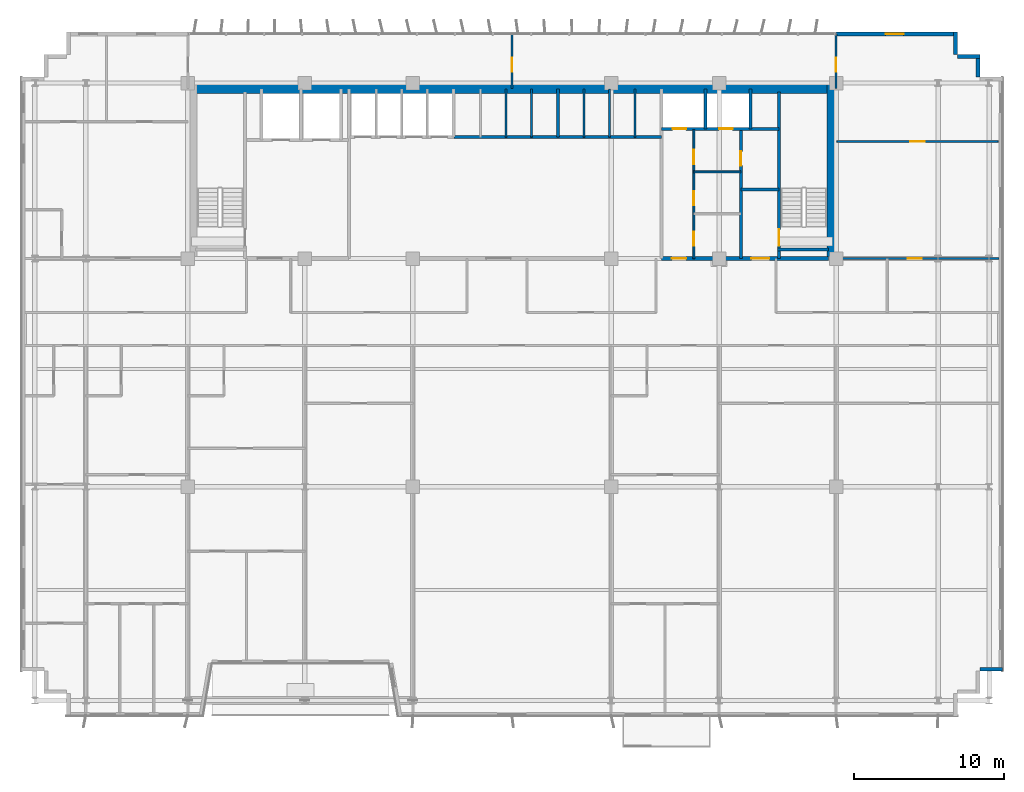
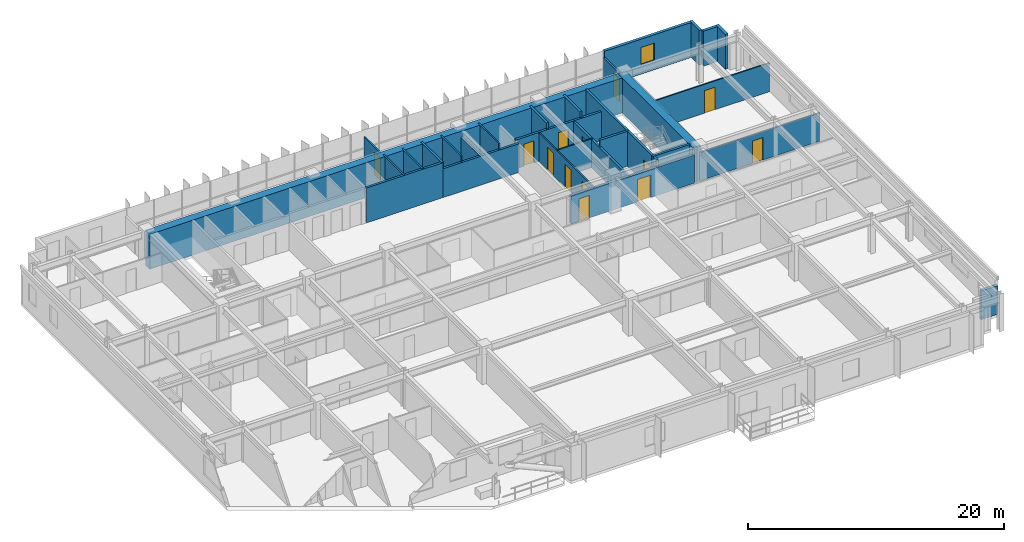
# One storey, part 19 of 23: 29 walls, 13 doors, 1 window, 14 openings.
"""IFC4 building model written with IfcOpenShell, lengths in metres."""

from ifc_helpers import new_model, si_unit, direction, frame, frame_2d, origin, place, context, subcontext, project, spatial, rectangle, extrude, source, transform, mapped, material, layer, layer_set, type_object, element, fill, save


model = new_model("IFC4")

# Units and contexts
model_context = context("Model", 3, precision=1e-05, world=origin(), true_north=direction((0.0, 1.0)))
body_context = subcontext(model_context, "Body", "Model", "MODEL_VIEW")
ifc_project = project(units=[si_unit("LENGTHUNIT", "METRE"), si_unit("AREAUNIT", "SQUARE_METRE"), si_unit("VOLUMEUNIT", "CUBIC_METRE"), si_unit("PLANEANGLEUNIT", "RADIAN"), si_unit("MASSUNIT", "GRAM", prefix="KILO")], contexts=[model_context])

# Site, building, storey
site_placement = place(None, origin())
site = spatial("IfcSite", under=ifc_project, at=site_placement, CompositionType="ELEMENT")
building_placement = place(site_placement, origin())
building = spatial("IfcBuilding", under=site, at=building_placement, Name="Trelvane Seafront Commons", CompositionType="ELEMENT")
storey_placement = place(building_placement, frame((0.0, 0.0, 63.10009765625)))
storey = spatial("IfcBuildingStorey", under=building, at=storey_placement, Name="L16", CompositionType="ELEMENT", Elevation=63.10009765625)

# Wall, opening, window
ifc_material_1 = material(Name="Precast concrete C40/50", Category="concrete")
ifc_layer_1 = layer(ifc_material_1, 0.260009765625, Name="ARCH-WALL-EXT260")
ifc_layer_set_1 = layer_set([ifc_layer_1], Name="Precast concrete C40/50")
wall_type_1 = type_object("IfcWallType", Name="ARCH-WALL-EXT260", PredefinedType="SOLIDWALL", material=ifc_layer_set_1)
wall_1_placement = place(storey_placement, frame((58.800048828125, 48.3701171875, 0.0), z_axis=(0.0, 0.0, 1.0), x_axis=(1.0, 0.0, 0.0)))
wall_1 = element("IfcWall", 1, at=wall_1_placement, inside=storey, type_object=wall_type_1, Name="EW-L16-NE-0277", PredefinedType="SOLIDWALL", context=body_context, shape_type="SweptSolid", body=[
    extrude(rectangle(XDim=8.0, YDim=0.260009765625, at=frame_2d((4.0, 0.0))), origin(), (0.0, 0.0, 1.0), 3.33984375),
])
opening_1_placement = place(wall_1_placement, frame((3.30810546875, 0.0, 0.89990234375)))
opening_1 = element("IfcOpeningElement", 2, at=opening_1_placement, cuts=wall_1, Name="Opening W05", PredefinedType="OPENING", context=body_context, shape_type="SweptSolid", body=[
    extrude(rectangle(XDim=1.199951171875, YDim=1.64990234375, at=frame_2d((0.60009765625, 0.824951171875))), frame((0.0, 0.139892578125, 0.0), z_axis=(0.0, -1.0, 0.0), x_axis=(1.0, 0.0, 0.0)), (0.0, 0.0, 1.0), 0.280029296875),
])
ifc_material_2 = material(Name="Low-E coastal double glazing", Category="glass")
window_type = type_object("IfcWindowType", Name="ARCH-WIN-W05", PartitioningType="SINGLE_PANEL", PredefinedType="WINDOW", material=ifc_material_2)
shared_shape_1 = source(origin(), body_context, "Body", "SweptSolid", [
    extrude(rectangle(XDim=1.199951171875, YDim=1.64990234375, at=frame_2d((0.60009765625, 0.824951171875))), frame((0.0, 0.030029296875, 0.0), z_axis=(0.0, -1.0, 0.0), x_axis=(1.0, 0.0, 0.0)), (0.0, 0.0, 1.0), 0.06005859375),
])
window_placement = place(opening_1_placement, origin())
window = element("IfcWindow", 3, at=window_placement, inside=storey, type_object=window_type, Name="WIN-L16-00334", OverallHeight=1.64990234375, OverallWidth=1.199951171875, PartitioningType="SINGLE_PANEL", PredefinedType="WINDOW", context=body_context, shape_type="MappedRepresentation", body=[
    mapped(shared_shape_1, transform((0.0, 0.0, 0.0), x_axis=(1.0, 0.0, 0.0), y_axis=(0.0, 1.0, 0.0), z_axis=(0.0, 0.0, 1.0), scale=1.0)),
])
fill(opening_1, window)

# Walls
for number, where, z_axis, x_axis, name in (
    (4, (66.77001953125, 48.5, 0.0), (0.0, 0.0, 1.0), (0.0, -1.0, 0.0), "EW-L16-00286"),
    (5, (66.89990234375, 46.8701171875, 0.0), (0.0, 0.0, 1.0), (1.0, 0.0, 0.0), "EW-L16-00287"),
    (6, (68.27001953125, 47.0, 0.0), (0.0, 0.0, 1.0), (0.0, -1.0, 0.0), "EW-L16-00288"),
):
    element("IfcWall", number, at=place(storey_placement, frame(where, z_axis=z_axis, x_axis=x_axis)), inside=storey, type_object=wall_type_1, Name=name, PredefinedType="SOLIDWALL", context=body_context, shape_type="SweptSolid", body=[
        extrude(rectangle(XDim=1.5, YDim=0.260009765625, at=frame_2d((0.75, 0.0))), origin(), (0.0, 0.0, 1.0), 3.33984375),
    ])
wall_2_placement = place(storey_placement, frame((69.89990234375, 6.030029296875, 0.0), z_axis=(0.0, 0.0, 1.0), x_axis=(-1.0, 0.0, 0.0)))
element("IfcWall", 7, at=wall_2_placement, inside=storey, type_object=wall_type_1, Name="EW-L16-00291", PredefinedType="SOLIDWALL", context=body_context, shape_type="SweptSolid", body=[
    extrude(rectangle(XDim=1.5, YDim=0.260009765625, at=frame_2d((0.75, 0.0))), origin(), (0.0, 0.0, 1.0), 2.751953125),
])

# Wall, opening, door
ifc_material_3 = material(Name="Concrete C40/50", Category="concrete")
ifc_layer_2 = layer(ifc_material_3, 0.199951171875, Name="ARCH-WALL-FIRE200")
ifc_layer_set_2 = layer_set([ifc_layer_2], Name="Concrete C40/50")
wall_type_2 = type_object("IfcWallType", Name="ARCH-WALL-FIRE200", PredefinedType="PARTITIONING", material=ifc_layer_set_2)
wall_3_placement = place(storey_placement, frame((52.449951171875, 33.39990234375, 0.0), z_axis=(0.0, 0.0, 1.0), x_axis=(0.0, 1.0, 0.0)))
wall_3 = element("IfcWall", 8, at=wall_3_placement, inside=storey, type_object=wall_type_2, Name="W-L16-ST2V-W-033", PredefinedType="PARTITIONING", context=body_context, shape_type="SweptSolid", body=[
    extrude(rectangle(XDim=8.650146484375, YDim=0.199951171875, at=frame_2d((4.3251953125, 0.0))), origin(), (0.0, 0.0, 1.0), 2.68994140625),
])
opening_2_placement = place(wall_3_placement, frame((6.199951171875, 0.0, 0.0)))
opening_2 = element("IfcOpeningElement", 9, at=opening_2_placement, cuts=wall_3, Name="Opening FD-L16-13", PredefinedType="OPENING", context=body_context, shape_type="SweptSolid", body=[
    extrude(rectangle(XDim=0.949951171875, YDim=2.14990234375, at=frame_2d((0.47509765625, 1.074951171875))), frame((0.0, 0.10986328125, 0.0), z_axis=(0.0, -1.0, 0.0), x_axis=(1.0, 0.0, 0.0)), (0.0, 0.0, 1.0), 0.219970703125),
])
ifc_material_4 = material(Name="Powder-coated aluminium frame", Category="aluminium")
door_type_1 = type_object("IfcDoorType", Name="ARCH-DR-FD60-950", OperationType="NOTDEFINED", PredefinedType="DOOR", material=ifc_material_4)
shared_shape_2 = source(origin(), body_context, "Body", "SweptSolid", [
    extrude(rectangle(XDim=0.949951171875, YDim=2.14990234375, at=frame_2d((0.47509765625, 1.074951171875))), frame((0.0, 0.02490234375, 0.0), z_axis=(0.0, -1.0, 0.0), x_axis=(1.0, 0.0, 0.0)), (0.0, 0.0, 1.0), 0.050048828125),
])
door_1_placement = place(opening_2_placement, origin())
door_1 = element("IfcDoor", 10, at=door_1_placement, inside=storey, type_object=door_type_1, Name="L16 Cleaner Store Door", OperationType="SINGLE_SWING_LEFT", OverallHeight=2.14990234375, OverallWidth=0.949951171875, PredefinedType="DOOR", context=body_context, shape_type="MappedRepresentation", body=[
    mapped(shared_shape_2, transform((0.0, 0.0, 0.0), x_axis=(1.0, 0.0, 0.0), y_axis=(0.0, 1.0, 0.0), z_axis=(0.0, 0.0, 1.0), scale=1.0)),
])
fill(opening_2, door_1)

# Wall
wall_4_placement = place(storey_placement, frame((52.449951171875, 38.0, 0.0), z_axis=(0.0, 0.0, 1.0), x_axis=(1.0, 0.0, 0.0)))
element("IfcWall", 11, at=wall_4_placement, inside=storey, type_object=wall_type_2, Name="W-L16-ST2V-N-034", PredefinedType="PARTITIONING", context=body_context, shape_type="SweptSolid", body=[
    extrude(rectangle(XDim=2.550048828125, YDim=0.199951171875, at=frame_2d((1.27490234375, 0.0))), origin(), (0.0, 0.0, 1.0), 3.33984375),
])

# Wall, openings, doors
ifc_layer_3 = layer(ifc_material_3, 0.25, Name="ARCH-WALL-FIRE250")
ifc_layer_set_3 = layer_set([ifc_layer_3], Name="Concrete C40/50")
wall_type_3 = type_object("IfcWallType", Name="ARCH-WALL-FIRE250", PredefinedType="PARTITIONING", material=ifc_layer_set_3)
wall_5_placement = place(storey_placement, frame((47.14990234375, 33.39990234375, 0.0), z_axis=(0.0, 0.0, 1.0), x_axis=(1.0, 0.0, 0.0)))
wall_5 = element("IfcWall", 12, at=wall_5_placement, inside=storey, type_object=wall_type_3, Name="W-L16-CS-EAST-038", PredefinedType="PARTITIONING", context=body_context, shape_type="SweptSolid", body=[
    extrude(rectangle(XDim=11.150146484375, YDim=0.25, at=frame_2d((5.5751953125, 0.0))), origin(), (0.0, 0.0, 1.0), 2.68994140625),
])
opening_3_placement = place(wall_5_placement, frame((0.699951171875, 0.0, 0.0)))
opening_3 = element("IfcOpeningElement", 13, at=opening_3_placement, cuts=wall_5, Name="Opening FD-L16-17", PredefinedType="OPENING", context=body_context, shape_type="SweptSolid", body=[
    extrude(rectangle(XDim=0.949951171875, YDim=2.14990234375, at=frame_2d((0.47509765625, 1.074951171875))), frame((0.0, 0.135009765625, 0.0), z_axis=(0.0, -1.0, 0.0), x_axis=(1.0, 0.0, 0.0)), (0.0, 0.0, 1.0), 0.27001953125),
])
opening_4_placement = place(wall_5_placement, frame((6.0, 0.0, 0.0)))
opening_4 = element("IfcOpeningElement", 14, at=opening_4_placement, cuts=wall_5, Name="Opening FD-L16-18", PredefinedType="OPENING", context=body_context, shape_type="SweptSolid", body=[
    extrude(rectangle(XDim=1.199951171875, YDim=2.14990234375, at=frame_2d((0.60009765625, 1.074951171875))), frame((0.0, 0.135009765625, 0.0), z_axis=(0.0, -1.0, 0.0), x_axis=(1.0, 0.0, 0.0)), (0.0, 0.0, 1.0), 0.27001953125),
])
door_2_placement = place(opening_3_placement, origin())
door_2 = element("IfcDoor", 15, at=door_2_placement, inside=storey, type_object=door_type_1, Name="L16 Core Service Lobby Door", OperationType="SINGLE_SWING_LEFT", OverallHeight=2.14990234375, OverallWidth=0.949951171875, PredefinedType="DOOR", context=body_context, shape_type="MappedRepresentation", body=[
    mapped(shared_shape_2, transform((0.0, 0.0, 0.0), x_axis=(1.0, 0.0, 0.0), y_axis=(0.0, 1.0, 0.0), z_axis=(0.0, 0.0, 1.0), scale=1.0)),
])
fill(opening_3, door_2)
door_type_2 = type_object("IfcDoorType", Name="ARCH-DR-FD60-1200", OperationType="NOTDEFINED", PredefinedType="DOOR", material=ifc_material_4)
shared_shape_3 = source(origin(), body_context, "Body", "SweptSolid", [
    extrude(rectangle(XDim=1.199951171875, YDim=2.14990234375, at=frame_2d((0.60009765625, 1.074951171875))), frame((0.0, 0.02490234375, 0.0), z_axis=(0.0, -1.0, 0.0), x_axis=(1.0, 0.0, 0.0)), (0.0, 0.0, 1.0), 0.050048828125),
])
door_3_placement = place(opening_4_placement, origin())
door_3 = element("IfcDoor", 16, at=door_3_placement, inside=storey, type_object=door_type_2, Name="L16 East Stair Vestibule Fire Door", OperationType="SINGLE_SWING_RIGHT", OverallHeight=2.14990234375, OverallWidth=1.199951171875, PredefinedType="DOOR", context=body_context, shape_type="MappedRepresentation", body=[
    mapped(shared_shape_3, transform((0.0, 0.0, 0.0), x_axis=(1.0, 0.0, 0.0), y_axis=(0.0, 1.0, 0.0), z_axis=(0.0, 0.0, 1.0), scale=1.0)),
])
fill(opening_4, door_3)

# Walls
ifc_material_5 = material(Name="Gypsum Drywall Acoustic Partition")
ifc_layer_4 = layer(ifc_material_5, 0.1201171875, Name="ARCH-WALL-PART120")
ifc_layer_set_4 = layer_set([ifc_layer_4], Name="Gypsum Drywall Acoustic Partition")
wall_type_4 = type_object("IfcWallType", Name="ARCH-WALL-PART120", PredefinedType="PARTITIONING", material=ifc_layer_set_4)
for number, where, z_axis, x_axis, name in (
    (17, (36.800048828125, 41.5, 0.0), (0.0, 0.0, 1.0), (0.0, 1.0, 0.0), "W-L16-PM-DIV2-021"),
    (18, (38.5, 41.5, 0.0), (0.0, 0.0, 1.0), (0.0, 1.0, 0.0), "W-L16-PM-DIV3-022"),
    (19, (42.0, 41.5, 0.0), (0.0, 0.0, 1.0), (0.0, 1.0, 0.0), "W-L16-PH-DIV1-025"),
):
    element("IfcWall", number, at=place(storey_placement, frame(where, z_axis=z_axis, x_axis=x_axis)), inside=storey, type_object=wall_type_4, Name=name, PredefinedType="PARTITIONING", context=body_context, shape_type="SweptSolid", body=[
        extrude(rectangle(XDim=3.199951171875, YDim=0.1201171875, at=frame_2d((1.60009765625, 0.0))), origin(), (0.0, 0.0, 1.0), 3.33984375),
    ])
wall_6_placement = place(storey_placement, frame((43.699951171875, 41.5, 0.0), z_axis=(0.0, 0.0, 1.0), x_axis=(0.0, 1.0, 0.0)))
element("IfcWall", 20, at=wall_6_placement, inside=storey, type_object=wall_type_4, Name="W-L16-PH-DIV2-026", PredefinedType="PARTITIONING", context=body_context, shape_type="SweptSolid", body=[
    extrude(rectangle(XDim=3.199951171875, YDim=0.1201171875, at=frame_2d((1.60009765625, 0.0))), origin(), (0.0, 0.0, 1.0), 2.751953125),
])
wall_7_placement = place(storey_placement, frame((45.39990234375, 41.5, 0.0), z_axis=(0.0, 0.0, 1.0), x_axis=(0.0, 1.0, 0.0)))
element("IfcWall", 21, at=wall_7_placement, inside=storey, type_object=wall_type_4, Name="W-L16-PH-DIV3-027", PredefinedType="PARTITIONING", context=body_context, shape_type="SweptSolid", body=[
    extrude(rectangle(XDim=3.199951171875, YDim=0.1201171875, at=frame_2d((1.60009765625, 0.0))), origin(), (0.0, 0.0, 1.0), 3.33984375),
])

# Wall, openings, doors
wall_8_placement = place(storey_placement, frame((49.320068359375, 33.39990234375, 0.0), z_axis=(0.0, 0.0, 1.0), x_axis=(0.0, 1.0, 0.0)))
wall_8 = element("IfcWall", 22, at=wall_8_placement, inside=storey, type_object=wall_type_4, Name="W-L16-CYC3-V-035", PredefinedType="PARTITIONING", context=body_context, shape_type="SweptSolid", body=[
    extrude(rectangle(XDim=8.60009765625, YDim=0.1201171875, at=frame_2d((4.300048828125, 0.0))), origin(), (0.0, 0.0, 1.0), 2.68994140625),
])
opening_5_placement = place(wall_8_placement, frame((0.85009765625, 0.0, 0.0)))
opening_5 = element("IfcOpeningElement", 23, at=opening_5_placement, cuts=wall_8, Name="Opening D-L16-14", PredefinedType="OPENING", context=body_context, shape_type="SweptSolid", body=[
    extrude(rectangle(XDim=0.949951171875, YDim=2.14990234375, at=frame_2d((0.47509765625, 1.074951171875))), frame((0.0, 0.070068359375, 0.0), z_axis=(0.0, -1.0, 0.0), x_axis=(1.0, 0.0, 0.0)), (0.0, 0.0, 1.0), 0.14013671875),
])
opening_6_placement = place(wall_8_placement, frame((3.550048828125, 0.0, 0.0)))
opening_6 = element("IfcOpeningElement", 24, at=opening_6_placement, cuts=wall_8, Name="Opening D-L16-15", PredefinedType="OPENING", context=body_context, shape_type="SweptSolid", body=[
    extrude(rectangle(XDim=0.949951171875, YDim=2.14990234375, at=frame_2d((0.47509765625, 1.074951171875))), frame((0.0, 0.070068359375, 0.0), z_axis=(0.0, -1.0, 0.0), x_axis=(1.0, 0.0, 0.0)), (0.0, 0.0, 1.0), 0.14013671875),
])
opening_7_placement = place(wall_8_placement, frame((6.300048828125, 0.0, 0.0)))
opening_7 = element("IfcOpeningElement", 25, at=opening_7_placement, cuts=wall_8, Name="Opening D-L16-16", PredefinedType="OPENING", context=body_context, shape_type="SweptSolid", body=[
    extrude(rectangle(XDim=0.949951171875, YDim=2.14990234375, at=frame_2d((0.47509765625, 1.074951171875))), frame((0.0, 0.070068359375, 0.0), z_axis=(0.0, -1.0, 0.0), x_axis=(1.0, 0.0, 0.0)), (0.0, 0.0, 1.0), 0.14013671875),
])
ifc_material_6 = material(Name="Acoustic timber door leaf", Category="wood")
door_type_3 = type_object("IfcDoorType", Name="ARCH-DR-INT950", OperationType="NOTDEFINED", PredefinedType="DOOR", material=ifc_material_6)
door_4_placement = place(opening_5_placement, origin())
door_4 = element("IfcDoor", 26, at=door_4_placement, inside=storey, type_object=door_type_3, Name="L16 Accessible WC Door", OperationType="SINGLE_SWING_RIGHT", OverallHeight=2.14990234375, OverallWidth=0.949951171875, PredefinedType="DOOR", context=body_context, shape_type="MappedRepresentation", body=[
    mapped(shared_shape_2, transform((0.0, 0.0, 0.0), x_axis=(1.0, 0.0, 0.0), y_axis=(0.0, 1.0, 0.0), z_axis=(0.0, 0.0, 1.0), scale=1.0)),
])
fill(opening_5, door_4)
door_5_placement = place(opening_6_placement, origin())
door_5 = element("IfcDoor", 27, at=door_5_placement, inside=storey, type_object=door_type_3, Name="L16 Staff WC Door", OperationType="SINGLE_SWING_LEFT", OverallHeight=2.14990234375, OverallWidth=0.949951171875, PredefinedType="DOOR", context=body_context, shape_type="MappedRepresentation", body=[
    mapped(shared_shape_2, transform((0.0, 0.0, 0.0), x_axis=(1.0, 0.0, 0.0), y_axis=(0.0, 1.0, 0.0), z_axis=(0.0, 0.0, 1.0), scale=1.0)),
])
fill(opening_6, door_5)
door_6_placement = place(opening_7_placement, origin())
door_6 = element("IfcDoor", 28, at=door_6_placement, inside=storey, type_object=door_type_3, Name="L16 Electrical Room Door", OperationType="SINGLE_SWING_RIGHT", OverallHeight=2.14990234375, OverallWidth=0.949951171875, PredefinedType="DOOR", context=body_context, shape_type="MappedRepresentation", body=[
    mapped(shared_shape_2, transform((0.0, 0.0, 0.0), x_axis=(1.0, 0.0, 0.0), y_axis=(0.0, 1.0, 0.0), z_axis=(0.0, 0.0, 1.0), scale=1.0)),
])
fill(opening_7, door_6)

# Wall
wall_9_placement = place(storey_placement, frame((49.320068359375, 39.179931640625, 0.0), z_axis=(0.0, 0.0, 1.0), x_axis=(1.0, 0.0, 0.0)))
element("IfcWall", 29, at=wall_9_placement, inside=storey, type_object=wall_type_4, Name="W-L16-CYC3-H2-037", PredefinedType="PARTITIONING", context=body_context, shape_type="SweptSolid", body=[
    extrude(rectangle(XDim=3.1298828125, YDim=0.1201171875, at=frame_2d((1.56494140625, 0.0))), origin(), (0.0, 0.0, 1.0), 2.751953125),
])

# Wall, opening, door
wall_10_placement = place(storey_placement, frame((58.85009765625, 41.199951171875, 0.0), z_axis=(0.0, 0.0, 1.0), x_axis=(1.0, 0.0, 0.0)))
wall_10 = element("IfcWall", 30, at=wall_10_placement, inside=storey, type_object=wall_type_4, Name="W-L16-NE-LGDV-056", PredefinedType="PARTITIONING", context=body_context, shape_type="SweptSolid", body=[
    extrude(rectangle(XDim=10.75, YDim=0.1201171875, at=frame_2d((5.375, 0.0))), origin(), (0.0, 0.0, 1.0), 2.751953125),
])
opening_8_placement = place(wall_10_placement, frame((4.89990234375, 0.0, 0.0)))
opening_8 = element("IfcOpeningElement", 31, at=opening_8_placement, cuts=wall_10, Name="Opening D-L16-28", PredefinedType="OPENING", context=body_context, shape_type="SweptSolid", body=[
    extrude(rectangle(XDim=0.949951171875, YDim=2.14990234375, at=frame_2d((0.47509765625, 1.074951171875))), frame((0.0, 0.070068359375, 0.0), z_axis=(0.0, -1.0, 0.0), x_axis=(1.0, 0.0, 0.0)), (0.0, 0.0, 1.0), 0.14013671875),
])
door_7_placement = place(opening_8_placement, origin())
door_7 = element("IfcDoor", 32, at=door_7_placement, inside=storey, type_object=door_type_3, Name="L16 Door 28", OperationType="SINGLE_SWING_RIGHT", OverallHeight=2.14990234375, OverallWidth=0.949951171875, PredefinedType="DOOR", context=body_context, shape_type="MappedRepresentation", body=[
    mapped(shared_shape_2, transform((0.0, 0.0, 0.0), x_axis=(1.0, 0.0, 0.0), y_axis=(0.0, 1.0, 0.0), z_axis=(0.0, 0.0, 1.0), scale=1.0)),
])
fill(opening_8, door_7)

wall_11_placement = place(storey_placement, frame((37.199951171875, 44.75, 0.0), z_axis=(0.0, 0.0, 1.0), x_axis=(0.0, 1.0, 0.0)))
wall_11 = element("IfcWall", 33, at=wall_11_placement, inside=storey, type_object=wall_type_4, Name="W-L16-N-MID-DV-058", PredefinedType="PARTITIONING", context=body_context, shape_type="SweptSolid", body=[
    extrude(rectangle(XDim=3.610107421875, YDim=0.1201171875, at=frame_2d((1.80517578125, 0.0))), origin(), (0.0, 0.0, 1.0), 2.68994140625),
])
opening_9_placement = place(wall_11_placement, frame((1.10009765625, 0.0, 0.0)))
opening_9 = element("IfcOpeningElement", 34, at=opening_9_placement, cuts=wall_11, Name="Opening D-L16-30", PredefinedType="OPENING", context=body_context, shape_type="SweptSolid", body=[
    extrude(rectangle(XDim=0.949951171875, YDim=2.14990234375, at=frame_2d((0.47509765625, 1.074951171875))), frame((0.0, 0.070068359375, 0.0), z_axis=(0.0, -1.0, 0.0), x_axis=(1.0, 0.0, 0.0)), (0.0, 0.0, 1.0), 0.14013671875),
])
door_8_placement = place(opening_9_placement, origin())
door_8 = element("IfcDoor", 35, at=door_8_placement, inside=storey, type_object=door_type_3, Name="L16 Door 30", OperationType="SINGLE_SWING_RIGHT", OverallHeight=2.14990234375, OverallWidth=0.949951171875, PredefinedType="DOOR", context=body_context, shape_type="MappedRepresentation", body=[
    mapped(shared_shape_2, transform((0.0, 0.0, 0.0), x_axis=(1.0, 0.0, 0.0), y_axis=(0.0, 1.0, 0.0), z_axis=(0.0, 0.0, 1.0), scale=1.0)),
])
fill(opening_9, door_8)

ifc_layer_5 = layer(ifc_material_5, 0.14990234375, Name="ARCH-WALL-PART150")
ifc_layer_set_5 = layer_set([ifc_layer_5], Name="Gypsum Drywall Acoustic Partition")
wall_type_5 = type_object("IfcWallType", Name="ARCH-WALL-PART150", PredefinedType="PARTITIONING", material=ifc_layer_set_5)
wall_12_placement = place(storey_placement, frame((58.800048828125, 33.39990234375, 0.0), z_axis=(0.0, 0.0, 1.0), x_axis=(1.0, 0.0, 0.0)))
wall_12 = element("IfcWall", 36, at=wall_12_placement, inside=storey, type_object=wall_type_5, Name="W-L16-NE-ENT-057", PredefinedType="PARTITIONING", context=body_context, shape_type="SweptSolid", body=[
    extrude(rectangle(XDim=10.849853515625, YDim=0.14990234375, at=frame_2d((5.4248046875, 0.0))), origin(), (0.0, 0.0, 1.0), 2.68994140625),
])
opening_10_placement = place(wall_12_placement, frame((4.760009765625, 0.0, 0.0)))
opening_10 = element("IfcOpeningElement", 37, at=opening_10_placement, cuts=wall_12, Name="Opening FD-L16-29", PredefinedType="OPENING", context=body_context, shape_type="SweptSolid", body=[
    extrude(rectangle(XDim=0.949951171875, YDim=2.14990234375, at=frame_2d((0.47509765625, 1.074951171875))), frame((0.0, 0.0849609375, 0.0), z_axis=(0.0, -1.0, 0.0), x_axis=(1.0, 0.0, 0.0)), (0.0, 0.0, 1.0), 0.169921875),
])
door_9_placement = place(opening_10_placement, origin())
door_9 = element("IfcDoor", 38, at=door_9_placement, inside=storey, type_object=door_type_1, Name="L16 NE Suite Entrance Door", OperationType="SINGLE_SWING_LEFT", OverallHeight=2.14990234375, OverallWidth=0.949951171875, PredefinedType="DOOR", context=body_context, shape_type="MappedRepresentation", body=[
    mapped(shared_shape_2, transform((0.0, 0.0, 0.0), x_axis=(1.0, 0.0, 0.0), y_axis=(0.0, 1.0, 0.0), z_axis=(0.0, 0.0, 1.0), scale=1.0)),
])
fill(opening_10, door_9)

wall_13_placement = place(storey_placement, frame((58.800048828125, 44.75, 0.0), z_axis=(0.0, 0.0, 1.0), x_axis=(0.0, 1.0, 0.0)))
wall_13 = element("IfcWall", 39, at=wall_13_placement, inside=storey, type_object=wall_type_5, Name="W-L16-N-LINK-E-060", PredefinedType="PARTITIONING", context=body_context, shape_type="SweptSolid", body=[
    extrude(rectangle(XDim=3.610107421875, YDim=0.14990234375, at=frame_2d((1.80517578125, 0.0))), origin(), (0.0, 0.0, 1.0), 2.751953125),
])
opening_11_placement = place(wall_13_placement, frame((1.10009765625, 0.0, 0.0)))
opening_11 = element("IfcOpeningElement", 40, at=opening_11_placement, cuts=wall_13, Name="Opening FD-L16-32", PredefinedType="OPENING", context=body_context, shape_type="SweptSolid", body=[
    extrude(rectangle(XDim=0.949951171875, YDim=2.14990234375, at=frame_2d((0.47509765625, 1.074951171875))), frame((0.0, 0.0849609375, 0.0), z_axis=(0.0, -1.0, 0.0), x_axis=(1.0, 0.0, 0.0)), (0.0, 0.0, 1.0), 0.169921875),
])
door_10_placement = place(opening_11_placement, origin())
door_10 = element("IfcDoor", 41, at=door_10_placement, inside=storey, type_object=door_type_1, Name="L16 Door 32", OperationType="SINGLE_SWING_RIGHT", OverallHeight=2.14990234375, OverallWidth=0.949951171875, PredefinedType="DOOR", context=body_context, shape_type="MappedRepresentation", body=[
    mapped(shared_shape_2, transform((0.0, 0.0, 0.0), x_axis=(1.0, 0.0, 0.0), y_axis=(0.0, 1.0, 0.0), z_axis=(0.0, 0.0, 1.0), scale=1.0)),
])
fill(opening_11, door_10)

# Walls
ifc_layer_6 = layer(ifc_material_3, 0.199951171875, Name="ARCH-WALL-SHAFT200")
ifc_layer_set_6 = layer_set([ifc_layer_6], Name="Concrete C40/50")
wall_type_6 = type_object("IfcWallType", Name="ARCH-WALL-SHAFT200", PredefinedType="SOLIDWALL", material=ifc_layer_set_6)
wall_14_placement = place(storey_placement, frame((33.35009765625, 41.5, 0.0), z_axis=(0.0, 0.0, 1.0), x_axis=(1.0, 0.0, 0.0)))
element("IfcWall", 42, at=wall_14_placement, inside=storey, type_object=wall_type_6, Name="W-L16-PM-FRONT-019", PredefinedType="SOLIDWALL", context=body_context, shape_type="SweptSolid", body=[
    extrude(rectangle(XDim=6.89990234375, YDim=0.199951171875, at=frame_2d((3.449951171875, 0.0))), origin(), (0.0, 0.0, 1.0), 3.33984375),
])
wall_15_placement = place(storey_placement, frame((40.25, 41.5, 0.0), z_axis=(0.0, 0.0, 1.0), x_axis=(1.0, 0.0, 0.0)))
element("IfcWall", 43, at=wall_15_placement, inside=storey, type_object=wall_type_6, Name="W-L16-PH-FRONT-023", PredefinedType="SOLIDWALL", context=body_context, shape_type="SweptSolid", body=[
    extrude(rectangle(XDim=6.89990234375, YDim=0.199951171875, at=frame_2d((3.449951171875, 0.0))), origin(), (0.0, 0.0, 1.0), 2.751953125),
])
wall_16_placement = place(storey_placement, frame((40.25, 41.5, 0.0), z_axis=(0.0, 0.0, 1.0), x_axis=(0.0, 1.0, 0.0)))
element("IfcWall", 44, at=wall_16_placement, inside=storey, type_object=wall_type_6, Name="W-L16-PH-WEST-SH-024", PredefinedType="SOLIDWALL", context=body_context, shape_type="SweptSolid", body=[
    extrude(rectangle(XDim=3.199951171875, YDim=0.199951171875, at=frame_2d((1.60009765625, 0.0))), origin(), (0.0, 0.0, 1.0), 3.33984375),
])

# Wall, openings, doors
wall_17_placement = place(storey_placement, frame((47.14990234375, 42.050048828125, 0.0), z_axis=(0.0, 0.0, 1.0), x_axis=(1.0, 0.0, 0.0)))
wall_17 = element("IfcWall", 45, at=wall_17_placement, inside=storey, type_object=wall_type_6, Name="W-L16-RSR-S-030", PredefinedType="SOLIDWALL", context=body_context, shape_type="SweptSolid", body=[
    extrude(rectangle(XDim=7.85009765625, YDim=0.199951171875, at=frame_2d((3.925048828125, 0.0))), origin(), (0.0, 0.0, 1.0), 2.751953125),
])
opening_12_placement = place(wall_17_placement, frame((0.75, 0.0, 0.0)))
opening_12 = element("IfcOpeningElement", 46, at=opening_12_placement, cuts=wall_17, Name="Opening FD-L16-11", PredefinedType="OPENING", context=body_context, shape_type="SweptSolid", body=[
    extrude(rectangle(XDim=0.89990234375, YDim=2.10009765625, at=frame_2d((0.449951171875, 1.050048828125))), frame((0.0, 0.10986328125, 0.0), z_axis=(0.0, -1.0, 0.0), x_axis=(1.0, 0.0, 0.0)), (0.0, 0.0, 1.0), 0.219970703125),
])
opening_13_placement = place(wall_17_placement, frame((3.85009765625, 0.0, 0.0)))
opening_13 = element("IfcOpeningElement", 47, at=opening_13_placement, cuts=wall_17, Name="Opening FD-L16-12", PredefinedType="OPENING", context=body_context, shape_type="SweptSolid", body=[
    extrude(rectangle(XDim=0.89990234375, YDim=2.10009765625, at=frame_2d((0.449951171875, 1.050048828125))), frame((0.0, 0.10986328125, 0.0), z_axis=(0.0, -1.0, 0.0), x_axis=(1.0, 0.0, 0.0)), (0.0, 0.0, 1.0), 0.219970703125),
])
door_type_4 = type_object("IfcDoorType", Name="ARCH-DR-FD60-900", OperationType="NOTDEFINED", PredefinedType="DOOR", material=ifc_material_4)
shared_shape_4 = source(origin(), body_context, "Body", "SweptSolid", [
    extrude(rectangle(XDim=0.89990234375, YDim=2.10009765625, at=frame_2d((0.449951171875, 1.050048828125))), frame((0.0, 0.02490234375, 0.0), z_axis=(0.0, -1.0, 0.0), x_axis=(1.0, 0.0, 0.0)), (0.0, 0.0, 1.0), 0.050048828125),
])
door_11_placement = place(opening_12_placement, origin())
door_11 = element("IfcDoor", 48, at=door_11_placement, inside=storey, type_object=door_type_4, Name="L16 Electrical Riser Access Door", OperationType="SINGLE_SWING_LEFT", OverallHeight=2.10009765625, OverallWidth=0.89990234375, PredefinedType="DOOR", context=body_context, shape_type="MappedRepresentation", body=[
    mapped(shared_shape_4, transform((0.0, 0.0, 0.0), x_axis=(1.0, 0.0, 0.0), y_axis=(0.0, 1.0, 0.0), z_axis=(0.0, 0.0, 1.0), scale=1.0)),
])
fill(opening_12, door_11)
door_12_placement = place(opening_13_placement, origin())
door_12 = element("IfcDoor", 49, at=door_12_placement, inside=storey, type_object=door_type_4, Name="L16 Mechanical Riser Access Door", OperationType="SINGLE_SWING_RIGHT", OverallHeight=2.10009765625, OverallWidth=0.89990234375, PredefinedType="DOOR", context=body_context, shape_type="MappedRepresentation", body=[
    mapped(shared_shape_4, transform((0.0, 0.0, 0.0), x_axis=(1.0, 0.0, 0.0), y_axis=(0.0, 1.0, 0.0), z_axis=(0.0, 0.0, 1.0), scale=1.0)),
])
fill(opening_13, door_12)

# Walls
for number, where, z_axis, x_axis, name in (
    (50, (50.080078125, 42.050048828125, 0.0), (0.0, 0.0, 1.0), (0.0, 1.0, 0.0), "W-L16-RSR-DIV-031"),
    (51, (53.10009765625, 42.050048828125, 0.0), (0.0, 0.0, 1.0), (0.0, 1.0, 0.0), "W-L16-RSR-E-032"),
):
    element("IfcWall", number, at=place(storey_placement, frame(where, z_axis=z_axis, x_axis=x_axis)), inside=storey, type_object=wall_type_6, Name=name, PredefinedType="SOLIDWALL", context=body_context, shape_type="SweptSolid", body=[
        extrude(rectangle(XDim=2.64990234375, YDim=0.199951171875, at=frame_2d((1.324951171875, 0.0))), origin(), (0.0, 0.0, 1.0), 3.33984375),
    ])
ifc_material_7 = material(Name="Concrete C60/75", Category="concrete")
ifc_layer_7 = layer(ifc_material_7, 0.699951171875, Name="STR-WALL-CORE700")
ifc_layer_set_7 = layer_set([ifc_layer_7], Name="Concrete C60/75")
wall_type_7 = type_object("IfcWallType", Name="STR-WALL-CORE700", PredefinedType="SHEAR", material=ifc_layer_set_7)
wall_18_placement = place(storey_placement, frame((15.5, 44.75, 0.0), z_axis=(0.0, 0.0, 1.0), x_axis=(1.0, 0.0, 0.0)))
element("IfcWall", 52, at=wall_18_placement, inside=storey, type_object=wall_type_7, Name="W-L16-CN-ALL-001", PredefinedType="SHEAR", context=body_context, shape_type="SweptSolid", body=[
    extrude(rectangle(XDim=43.39990234375, YDim=0.699951171875, at=frame_2d((21.699951171875, 0.0))), origin(), (0.0, 0.0, 1.0), 3.33984375),
])
wall_19_placement = place(storey_placement, frame((58.550048828125, 33.39990234375, 0.0), z_axis=(0.0, 0.0, 1.0), x_axis=(0.0, 1.0, 0.0)))
element("IfcWall", 53, at=wall_19_placement, inside=storey, type_object=wall_type_7, Name="W-L16-CE-END-003", PredefinedType="SHEAR", context=body_context, shape_type="SweptSolid", body=[
    extrude(rectangle(XDim=11.7001953125, YDim=0.699951171875, at=frame_2d((5.85009765625, 0.0))), origin(), (0.0, 0.0, 1.0), 3.33984375),
])
ifc_material_8 = material(Name="Concrete C50/60", Category="concrete")
ifc_layer_8 = layer(ifc_material_8, 0.199951171875, Name="STR-WALL-STAIR200")
ifc_layer_set_8 = layer_set([ifc_layer_8], Name="Concrete C50/60")
wall_type_8 = type_object("IfcWallType", Name="STR-WALL-STAIR200", PredefinedType="SHEAR", material=ifc_layer_set_8)
wall_20_placement = place(storey_placement, frame((54.89990234375, 34.0, 0.0), z_axis=(0.0, 0.0, 1.0), x_axis=(1.0, 0.0, 0.0)))
element("IfcWall", 54, at=wall_20_placement, inside=storey, type_object=wall_type_8, Name="W-L16-ST2-S-006", PredefinedType="SHEAR", context=body_context, shape_type="SweptSolid", body=[
    extrude(rectangle(XDim=3.400146484375, YDim=0.199951171875, at=frame_2d((1.7001953125, 0.0))), origin(), (0.0, 0.0, 1.0), 3.33984375),
])

# Wall, opening, door
wall_21_placement = place(storey_placement, frame((55.0, 33.39990234375, 0.0), z_axis=(0.0, 0.0, 1.0), x_axis=(0.0, 1.0, 0.0)))
wall_21 = element("IfcWall", 55, at=wall_21_placement, inside=storey, type_object=wall_type_8, Name="W-L16-ST2-W-007", PredefinedType="SHEAR", context=body_context, shape_type="SweptSolid", body=[
    extrude(rectangle(XDim=11.10009765625, YDim=0.199951171875, at=frame_2d((5.550048828125, 0.0))), origin(), (0.0, 0.0, 1.0), 3.33984375),
])
opening_14_placement = place(wall_21_placement, frame((0.85009765625, 0.0, 0.0)))
opening_14 = element("IfcOpeningElement", 56, at=opening_14_placement, cuts=wall_21, Name="Opening ST-D2-L16", PredefinedType="OPENING", context=body_context, shape_type="SweptSolid", body=[
    extrude(rectangle(XDim=1.10009765625, YDim=2.14990234375, at=frame_2d((0.550048828125, 1.074951171875))), frame((0.0, 0.10986328125, 0.0), z_axis=(0.0, -1.0, 0.0), x_axis=(1.0, 0.0, 0.0)), (0.0, 0.0, 1.0), 0.219970703125),
])
door_type_5 = type_object("IfcDoorType", Name="ARCH-DR-FD90-1100", OperationType="NOTDEFINED", PredefinedType="DOOR", material=ifc_material_4)
shared_shape_5 = source(origin(), body_context, "Body", "SweptSolid", [
    extrude(rectangle(XDim=1.10009765625, YDim=2.14990234375, at=frame_2d((0.550048828125, 1.074951171875))), frame((0.0, 0.02490234375, 0.0), z_axis=(0.0, -1.0, 0.0), x_axis=(1.0, 0.0, 0.0)), (0.0, 0.0, 1.0), 0.050048828125),
])
door_13_placement = place(opening_14_placement, origin())
door_13 = element("IfcDoor", 57, at=door_13_placement, inside=storey, type_object=door_type_5, Name="L16 Stair ST-2 Vestibule Fire Door", OperationType="SINGLE_SWING_RIGHT", OverallHeight=2.14990234375, OverallWidth=1.10009765625, PredefinedType="DOOR", context=body_context, shape_type="MappedRepresentation", body=[
    mapped(shared_shape_5, transform((0.0, 0.0, 0.0), x_axis=(1.0, 0.0, 0.0), y_axis=(0.0, 1.0, 0.0), z_axis=(0.0, 0.0, 1.0), scale=1.0)),
])
fill(opening_14, door_13)

save(model, "model.ifc")
